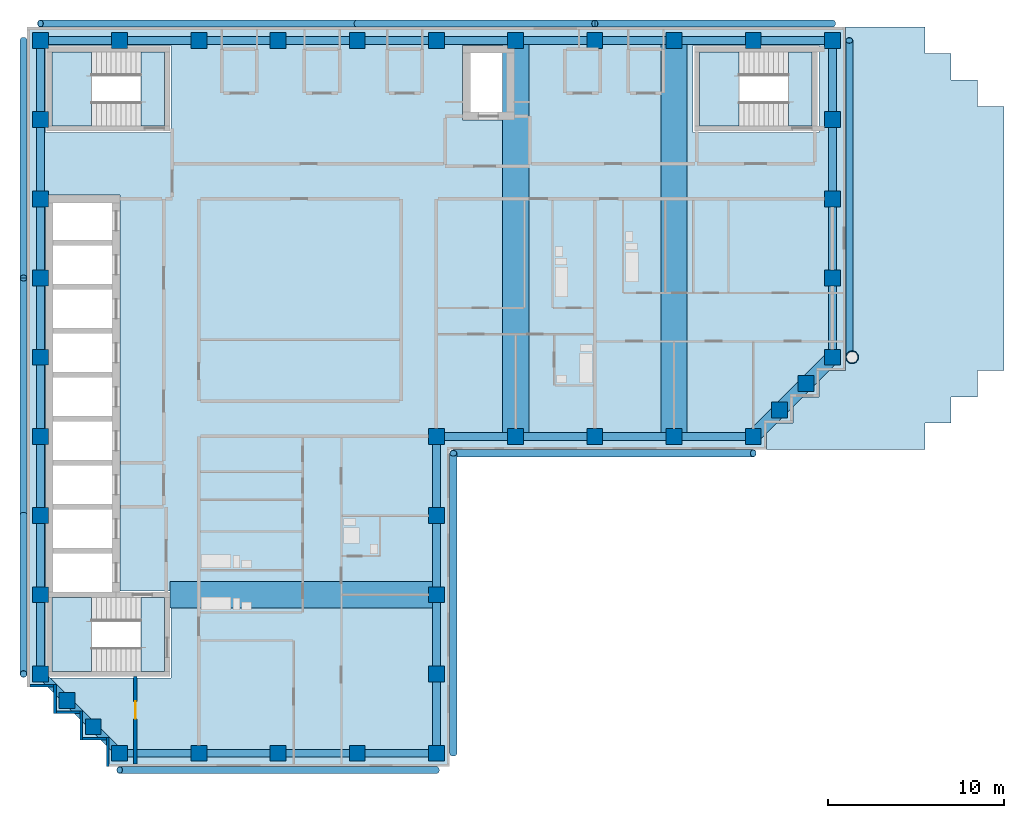
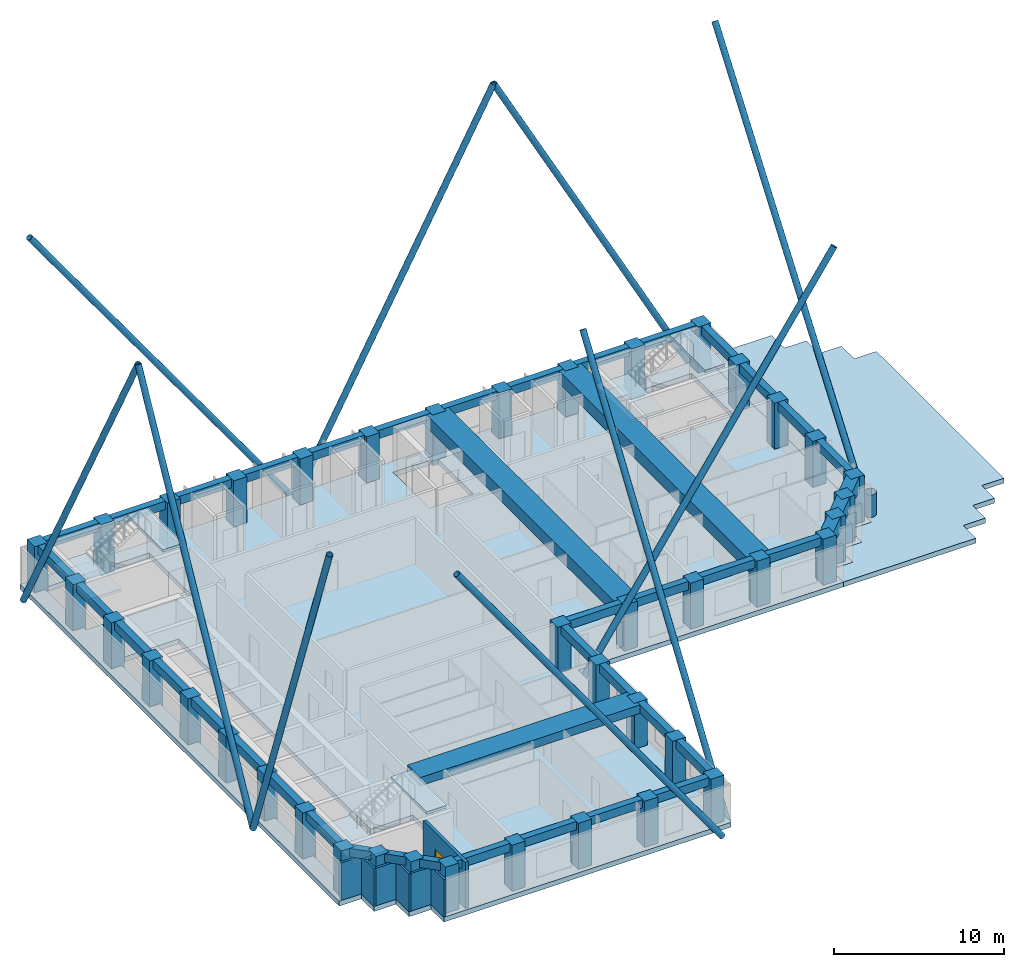
# One storey, part 1 of 8: 43 beams, 40 columns, 11 members, 8 slabs, 7 walls, 1 door, 1 opening, 3 elements without a shape of their own.
"""IFC4 building model written with IfcOpenShell, lengths in metres."""

import ifcopenshell
import ifcopenshell.guid

model = None  # the IFC model being written
_history = None  # IfcOwnerHistory: only IFC2X3 demands one
_inside = {}  # id of a spatial element -> (the spatial element, [elements in it])
_under = {}  # id of a project, library or spatial element -> (it, [spatial elements below it])
_declared = {}  # id of a project -> (the project, [libraries it declares])
_typed = {}  # id of a type object -> (the type object, [elements of that type])
_made_of = {}  # id of a material, layer set ... -> (it, [elements and type objects made of it])


def new_model(schema):
    """Start an empty IFC model of exactly this schema.

    Asked for "IFC4X3", IfcOpenShell would pick the latest addendum, in which some entities
    have other attributes; the version numbers below select the first issue.
    IFC2X3 requires an IfcOwnerHistory on every rooted entity: one is made here for all.
    """
    global model, _history
    if schema == "IFC4X3":
        model = ifcopenshell.file(schema_version=(4, 3, 0, 0))
    else:
        model = ifcopenshell.file(schema=schema)
    _inside.clear()
    _under.clear()
    _declared.clear()
    _typed.clear()
    _made_of.clear()
    _history = None
    if model.schema == "IFC2X3":
        org = make("IfcOrganization", Name="unknown")
        user = make(
            "IfcPersonAndOrganization",
            ThePerson=make("IfcPerson", FamilyName="unknown"),
            TheOrganization=org,
        )
        app = make(
            "IfcApplication",
            ApplicationDeveloper=org,
            Version="unknown",
            ApplicationFullName="unknown",
            ApplicationIdentifier="unknown",
        )
        _history = make(
            "IfcOwnerHistory",
            OwningUser=user,
            OwningApplication=app,
            ChangeAction="ADDED",
            CreationDate=0,
        )
    return model


def make(cls, **values):
    """One entity of the class cls with the attributes given. An attribute that is None is left unset."""
    return model.create_entity(
        cls, **{name: value for name, value in values.items() if value is not None}
    )


def rooted(cls, **values):
    """An entity with a GlobalId (a new one), such as an element, a storey or a relation."""
    return make(cls, GlobalId=ifcopenshell.guid.new(), OwnerHistory=_history, **values)


def si_unit(unit_type, name, prefix=None):
    """IfcSIUnit, for example si_unit("LENGTHUNIT", "METRE", prefix="MILLI")."""
    return make("IfcSIUnit", UnitType=unit_type, Prefix=prefix, Name=name)


def assignment(units):
    """IfcUnitAssignment: the units of a project."""
    return None if units is None else make("IfcUnitAssignment", Units=units)


def point(xyz):
    """IfcCartesianPoint."""
    return None if xyz is None else make("IfcCartesianPoint", Coordinates=xyz)


def direction(xyz):
    """IfcDirection."""
    return None if xyz is None else make("IfcDirection", DirectionRatios=xyz)


def frame(location, z_axis=None, x_axis=None):
    """IfcAxis2Placement3D, a coordinate frame: its origin and axes. An axis left out is left unset."""
    return make(
        "IfcAxis2Placement3D",
        Location=point(location),
        Axis=direction(z_axis),
        RefDirection=direction(x_axis),
    )


def frame_2d(location, x_axis=None):
    """IfcAxis2Placement2D, a coordinate frame in the plane: its origin and x axis."""
    return make(
        "IfcAxis2Placement2D", Location=point(location), RefDirection=direction(x_axis)
    )


def origin():
    """The frame at (0, 0, 0) with its axes left unset."""
    return frame((0.0, 0.0, 0.0))


def origin_2d():
    """The frame at (0, 0) in the plane with its x axis left unset."""
    return frame_2d((0.0, 0.0))


def place(relative_to, where):
    """IfcLocalPlacement: puts the frame where relative to a parent placement (None: the world)."""
    return make(
        "IfcLocalPlacement", PlacementRelTo=relative_to, RelativePlacement=where
    )


def context(
    kind, dimensions, precision=None, world=None, true_north=None, identifier=None
):
    """IfcGeometricRepresentationContext, for example the 3D "Model" context."""
    return make(
        "IfcGeometricRepresentationContext",
        ContextIdentifier=identifier,
        ContextType=kind,
        CoordinateSpaceDimension=dimensions,
        Precision=precision,
        WorldCoordinateSystem=world,
        TrueNorth=true_north,
    )


def subcontext(parent, identifier, kind, view, scale=None):
    """IfcGeometricRepresentationSubContext, for example "Body" below "Model"."""
    return make(
        "IfcGeometricRepresentationSubContext",
        ContextIdentifier=identifier,
        ContextType=kind,
        ParentContext=parent,
        TargetScale=scale,
        TargetView=view,
    )


def project(units=None, contexts=None):
    """IfcProject with its units and contexts."""
    return rooted(
        "IfcProject",
        Name="project",
        RepresentationContexts=contexts,
        UnitsInContext=assignment(units),
    )


def spatial(cls, under=None, at=None, **own):
    """A site, building, storey or space (cls), placed at a placement, below another one or the project."""
    s = rooted(cls, ObjectPlacement=at, **own)
    if under is not None:
        _under.setdefault(under.id(), (under, []))[1].append(s)
    return s


def polyline(points):
    """IfcPolyline through the points."""
    return make("IfcPolyline", Points=[point(p) for p in points])


def profile(cls, at=None, kind="AREA", **sizes):
    """A parametric profile (cls). Its sizes go by their IFC names, for example OverallWidth=200.0."""
    return make(cls, ProfileType=kind, Position=at, **sizes)


def rectangle(**sizes):
    """IfcRectangleProfileDef."""
    return profile("IfcRectangleProfileDef", **sizes)


def hollow_circle(**sizes):
    """IfcCircleHollowProfileDef."""
    return profile("IfcCircleHollowProfileDef", **sizes)


def outline(outer, holes=None, kind="AREA"):
    """IfcArbitraryClosedProfileDef: a profile drawn as a closed curve; with holes, ...WithVoids."""
    if holes is None:
        return make("IfcArbitraryClosedProfileDef", ProfileType=kind, OuterCurve=outer)
    return make(
        "IfcArbitraryProfileDefWithVoids",
        ProfileType=kind,
        OuterCurve=outer,
        InnerCurves=holes,
    )


def extrude(swept, where, along, depth):
    """IfcExtrudedAreaSolid: the profile swept, set in the frame where, extruded along a direction by depth."""
    return make(
        "IfcExtrudedAreaSolid",
        SweptArea=swept,
        Position=where,
        ExtrudedDirection=direction(along),
        Depth=depth,
    )


def shape(context_of_items, identifier, shape_type, items):
    """IfcShapeRepresentation: the items that make up one representation, for example the "Body"."""
    return make(
        "IfcShapeRepresentation",
        ContextOfItems=context_of_items,
        RepresentationIdentifier=identifier,
        RepresentationType=shape_type,
        Items=items,
    )


def material(Name=None, Category=None):
    """IfcMaterial."""
    return make("IfcMaterial", Name=Name, Category=Category)


def layer(
    of_material, thickness, ventilated=None, Name=None, Category=None, Priority=None
):
    """IfcMaterialLayer: one layer of a wall or slab, of a material (None: an air gap)."""
    return make(
        "IfcMaterialLayer",
        Material=of_material,
        LayerThickness=thickness,
        IsVentilated=ventilated,
        Name=Name,
        Category=Category,
        Priority=Priority,
    )


def layer_set(layers, Name=None):
    """IfcMaterialLayerSet."""
    return make("IfcMaterialLayerSet", MaterialLayers=layers, LayerSetName=Name)


def material_profile(
    of_material, cross_section, Name=None, Category=None, Priority=None
):
    """IfcMaterialProfile: a cross section and its material."""
    return make(
        "IfcMaterialProfile",
        Name=Name,
        Material=of_material,
        Profile=cross_section,
        Priority=Priority,
        Category=Category,
    )


def profile_set(profiles, Name=None, composite=None):
    """IfcMaterialProfileSet."""
    return make(
        "IfcMaterialProfileSet",
        Name=Name,
        MaterialProfiles=profiles,
        CompositeProfile=composite,
    )


def made_of(thing, what):
    """Note that an element or type object is made of a material, layer set ...; save() writes the relation."""
    if what is not None:
        _made_of.setdefault(what.id(), (what, []))[1].append(thing)
    return thing


def type_object(cls, material=None, **own):
    """A type object (cls), such as IfcWallType, which elements share."""
    return made_of(rooted(cls, **own), material)


def element(
    cls,
    number,
    at=None,
    inside=None,
    cuts=None,
    type_object=None,
    material=None,
    context=None,
    identifier="Body",
    shape_type=None,
    held_by="IfcProductDefinitionShape",
    body=None,
    shapes=None,
    **own,
):
    """One element of the class cls, such as IfcWall. Its Tag is "e" and its number.

    at: its placement. inside: the storey or other place that contains it. cuts: it is an
    opening in that element (IfcRelVoidsElement). A single representation is given by context,
    identifier, shape_type and body (its items); several are given by shapes. held_by: the class
    of the entity that holds the representations. save() writes the other relations.
    """
    e = rooted(cls, Tag="e%d" % number, ObjectPlacement=at, **own)
    if body is not None:
        shapes = [shape(context, identifier, shape_type, body)]
    if shapes is not None:
        e.Representation = make(held_by, Representations=shapes)
    if inside is not None:
        _inside.setdefault(inside.id(), (inside, []))[1].append(e)
    if cuts is not None:
        rooted(
            "IfcRelVoidsElement", RelatingBuildingElement=cuts, RelatedOpeningElement=e
        )
    if type_object is not None:
        _typed.setdefault(type_object.id(), (type_object, []))[1].append(e)
    return made_of(e, material)


def fill(opening, filler):
    """IfcRelFillsElement: the door or window that sits in an opening."""
    return rooted(
        "IfcRelFillsElement",
        RelatingOpeningElement=opening,
        RelatedBuildingElement=filler,
    )


def aggregate(whole, parts):
    """IfcRelAggregates: a whole, such as a stair, and the parts it consists of."""
    return rooted("IfcRelAggregates", RelatingObject=whole, RelatedObjects=parts)


def save(model, path):
    """Write the relations noted so far, then the file.

    IfcRelAggregates (storeys below a building ...), IfcRelContainedInSpatialStructure (elements
    in a storey), IfcRelDefinesByType, IfcRelAssociatesMaterial and IfcRelDeclares: one each for
    every whole, place, type object, material and project.
    """
    for whole, parts in _under.values():
        aggregate(whole, parts)
    for where, things in _inside.values():
        rooted(
            "IfcRelContainedInSpatialStructure",
            RelatedElements=things,
            RelatingStructure=where,
        )
    for kind, things in _typed.values():
        rooted("IfcRelDefinesByType", RelatedObjects=things, RelatingType=kind)
    for what, things in _made_of.values():
        rooted("IfcRelAssociatesMaterial", RelatedObjects=things, RelatingMaterial=what)
    for by, libraries in _declared.values():
        rooted("IfcRelDeclares", RelatingContext=by, RelatedDefinitions=libraries)
    model.write(path)


model = new_model("IFC4")

# Units and contexts
model_context = context("Model", 3, precision=1e-05, world=origin(), true_north=direction((0.0, 1.0)))
body_context = subcontext(model_context, "Body", "Model", "MODEL_VIEW")
ifc_project = project(units=[si_unit("LENGTHUNIT", "METRE"), si_unit("AREAUNIT", "SQUARE_METRE"), si_unit("VOLUMEUNIT", "CUBIC_METRE"), si_unit("PLANEANGLEUNIT", "RADIAN"), si_unit("MASSUNIT", "GRAM", prefix="KILO")], contexts=[model_context])

# Site, building, storey
site_placement = place(None, origin())
site = spatial("IfcSite", under=ifc_project, at=site_placement, CompositionType="ELEMENT")
building_placement = place(site_placement, origin())
building = spatial("IfcBuilding", under=site, at=building_placement, Name="Firuza Court", CompositionType="ELEMENT")
storey_placement = place(building_placement, frame((0.0, 0.0, 233.0)))
storey = spatial("IfcBuildingStorey", under=building, at=storey_placement, Name="L60", CompositionType="ELEMENT", Elevation=233.0)

# Columns
ifc_material_1 = material(Name="Concrete C50/60", Category="concrete")
ifc_material_profile_1 = material_profile(ifc_material_1, rectangle(XDim=0.89990234375, YDim=0.89990234375, at=origin_2d()), Name="RC 900x900")
ifc_profile_set_1 = profile_set([ifc_material_profile_1], Name="Concrete C50/60")
column_type = type_object("IfcColumnType", Name="Tube column RC 900x900 C50/60", PredefinedType="COLUMN", material=ifc_profile_set_1)
for number, where, z_axis, x_axis, name in (
    (1, (4.5, 18.0, -0.35009765625), (0.0, 0.0, 1.0), (1.0, 0.0, 0.0), "Column C-2H L60"),
    (2, (9.0, 18.0, -0.35009765625), (0.0, 0.0, 1.0), (1.0, 0.0, 0.0), "Column C-3H L60"),
    (3, (13.5, 18.0, -0.35009765625), (0.0, 0.0, 1.0), (1.0, 0.0, 0.0), "Column C-4H L60"),
    (4, (18.0, 18.0, -0.35009765625), (0.0, 0.0, 1.0), (1.0, 0.0, 0.0), "Column C-5H L60"),
    (5, (22.5, 18.0, -0.35009765625), (0.0, 0.0, 1.0), (1.0, 0.0, 0.0), "Column C-6H L60"),
    (6, (3.0, 19.5, -0.35009765625), (0.0, 0.0, 1.0), (1.0, 0.0, 0.0), "Column C-SA1 L60"),
    (7, (1.5, 21.0, -0.35009765625), (0.0, 0.0, 1.0), (1.0, 0.0, 0.0), "Column C-SA2 L60"),
    (8, (0.0, 22.5, -0.35009765625), (0.0, 0.0, 1.0), (1.0, 0.0, 0.0), "Column C-1J L60"),
    (9, (22.5, 22.5, -0.35009765625), (0.0, 0.0, 1.0), (1.0, 0.0, 0.0), "Column C-6J L60"),
    (10, (0.0, 27.0, -0.35009765625), (0.0, 0.0, 1.0), (1.0, 0.0, 0.0), "Column C-1K L60"),
    (11, (22.5, 27.0, -0.35009765625), (0.0, 0.0, 1.0), (1.0, 0.0, 0.0), "Column C-6K L60"),
    (12, (0.0, 31.5, -0.35009765625), (0.0, 0.0, 1.0), (1.0, 0.0, 0.0), "Column C-1L L60"),
    (13, (22.5, 31.5, -0.35009765625), (0.0, 0.0, 1.0), (1.0, 0.0, 0.0), "Column C-6L L60"),
    (14, (0.0, 36.0, -0.35009765625), (0.0, 0.0, 1.0), (1.0, 0.0, 0.0), "Column C-1M L60"),
    (15, (22.5, 36.0, -0.35009765625), (0.0, 0.0, 1.0), (1.0, 0.0, 0.0), "Column C-6M L60"),
    (16, (27.0, 36.0, -0.35009765625), (0.0, 0.0, 1.0), (1.0, 0.0, 0.0), "Column C-7M L60"),
    (17, (31.5, 36.0, -0.35009765625), (0.0, 0.0, 1.0), (1.0, 0.0, 0.0), "Column C-8M L60"),
    (18, (36.0, 36.0, -0.35009765625), (0.0, 0.0, 1.0), (1.0, 0.0, 0.0), "Column C-9M L60"),
    (19, (40.5, 36.0, -0.35009765625), (0.0, 0.0, 1.0), (1.0, 0.0, 0.0), "Column C-10M L60"),
    (20, (42.0, 37.5, -0.35009765625), (0.0, 0.0, 1.0), (1.0, 0.0, 0.0), "Column C-SA3 L60"),
    (21, (43.5, 39.0, -0.35009765625), (0.0, 0.0, 1.0), (1.0, 0.0, 0.0), "Column C-SA4 L60"),
    (22, (0.0, 40.5, -0.35009765625), (0.0, 0.0, 1.0), (1.0, 0.0, 0.0), "Column C-1N L60"),
    (23, (45.0, 40.5, -0.35009765625), (0.0, 0.0, 1.0), (1.0, 0.0, 0.0), "Column C-11N L60"),
    (24, (0.0, 45.0, -0.35009765625), (0.0, 0.0, 1.0), (1.0, 0.0, 0.0), "Column C-1P L60"),
    (25, (45.0, 45.0, -0.35009765625), (0.0, 0.0, 1.0), (1.0, 0.0, 0.0), "Column C-11P L60"),
    (26, (0.0, 49.5, -0.35009765625), (0.0, 0.0, 1.0), (1.0, 0.0, 0.0), "Column C-1Q L60"),
    (27, (45.0, 49.5, -0.35009765625), (0.0, 0.0, 1.0), (1.0, 0.0, 0.0), "Column C-11Q L60"),
    (28, (0.0, 54.0, -0.35009765625), (0.0, 0.0, 1.0), (1.0, 0.0, 0.0), "Column C-1R L60"),
    (29, (45.0, 54.0, -0.35009765625), (0.0, 0.0, 1.0), (1.0, 0.0, 0.0), "Column C-11R L60"),
    (30, (0.0, 58.5, -0.35009765625), (0.0, 0.0, 1.0), (1.0, 0.0, 0.0), "Column C-1S L60"),
    (31, (4.5, 58.5, -0.35009765625), (0.0, 0.0, 1.0), (1.0, 0.0, 0.0), "Column C-2S L60"),
    (32, (9.0, 58.5, -0.35009765625), (0.0, 0.0, 1.0), (1.0, 0.0, 0.0), "Column C-3S L60"),
    (33, (13.5, 58.5, -0.35009765625), (0.0, 0.0, 1.0), (1.0, 0.0, 0.0), "Column C-4S L60"),
    (34, (18.0, 58.5, -0.35009765625), (0.0, 0.0, 1.0), (1.0, 0.0, 0.0), "Column C-5S L60"),
    (35, (22.5, 58.5, -0.35009765625), (0.0, 0.0, 1.0), (1.0, 0.0, 0.0), "Column C-6S L60"),
    (36, (27.0, 58.5, -0.35009765625), (0.0, 0.0, 1.0), (1.0, 0.0, 0.0), "Column C-7S L60"),
    (37, (31.5, 58.5, -0.35009765625), (0.0, 0.0, 1.0), (1.0, 0.0, 0.0), "Column C-8S L60"),
    (38, (36.0, 58.5, -0.35009765625), (0.0, 0.0, 1.0), (1.0, 0.0, 0.0), "Column C-9S L60"),
    (39, (40.5, 58.5, -0.35009765625), (0.0, 0.0, 1.0), (1.0, 0.0, 0.0), "Column C-10S L60"),
    (40, (45.0, 58.5, -0.35009765625), (0.0, 0.0, 1.0), (1.0, 0.0, 0.0), "Column C-11S L60"),
):
    element("IfcColumn", number, at=place(storey_placement, frame(where, z_axis=z_axis, x_axis=x_axis)), inside=storey, type_object=column_type, Name=name, PredefinedType="COLUMN", context=body_context, shape_type="SweptSolid", body=[
        extrude(rectangle(XDim=0.89990234375, YDim=0.89990234375, at=origin_2d()), origin(), (0.0, 0.0, 1.0), 3.650146484375),
    ])

# Beams
ifc_material_2 = material(Name="Concrete C40/50", Category="concrete")
ifc_material_profile_2 = material_profile(ifc_material_2, rectangle(XDim=1.5, YDim=0.60009765625, at=origin_2d()), Name="RC 1500x600")
ifc_profile_set_2 = profile_set([ifc_material_profile_2], Name="Concrete C40/50")
beam_type_1 = type_object("IfcBeamType", Name="Band beam RC 1500x600 C40/50", PredefinedType="BEAM", material=ifc_profile_set_2)
beam_1_placement = place(storey_placement, frame((22.5, 27.0, 3.0), z_axis=(-1.0, 0.0, 0.0), x_axis=(0.0, -1.0, 0.0)))
element("IfcBeam", 41, at=beam_1_placement, inside=storey, type_object=beam_type_1, Name="Band beam FB3 level L61", PredefinedType="BEAM", context=body_context, shape_type="SweptSolid", body=[
    extrude(rectangle(XDim=1.5, YDim=0.60009765625, at=origin_2d()), origin(), (0.0, 0.0, 1.0), 15.14990234375),
])
ifc_material_3 = material(Name="Concrete C40/50", Category="concrete")
ifc_material_profile_3 = material_profile(ifc_material_3, rectangle(XDim=1.5, YDim=0.89990234375, at=origin_2d()), Name="RC 1500x900")
ifc_profile_set_3 = profile_set([ifc_material_profile_3], Name="Concrete C40/50")
beam_type_2 = type_object("IfcBeamType", Name="Band beam RC 1500x900 C40/50", PredefinedType="BEAM", material=ifc_profile_set_3)
for number, where, z_axis, x_axis, name in (
    (42, (27.0, 36.0, 2.85009765625), (0.0, 1.0, 0.0), (-1.0, 0.0, 0.0), "Band beam FB2 level L61"),
    (43, (36.0, 36.0, 2.85009765625), (0.0, 1.0, 0.0), (-1.0, 0.0, 0.0), "Band beam FB2 level L61"),
):
    element("IfcBeam", number, at=place(storey_placement, frame(where, z_axis=z_axis, x_axis=x_axis)), inside=storey, type_object=beam_type_2, Name=name, PredefinedType="BEAM", context=body_context, shape_type="SweptSolid", body=[
        extrude(rectangle(XDim=1.5, YDim=0.89990234375, at=origin_2d()), origin(), (0.0, 0.0, 1.0), 22.5),
    ])

# Members
ifc_material_4 = material(Name="Steel S355", Category="steel")
ifc_material_profile_4 = material_profile(ifc_material_4, hollow_circle(Radius=0.203125, WallThickness=0.01611328125, at=origin_2d()), Name="CHS 406.4x16")
ifc_profile_set_4 = profile_set([ifc_material_profile_4], Name="Steel S355")
member_type_1 = type_object("IfcMemberType", Name="Diagrid diagonal CHS 406.4x16 S355", PredefinedType="USERDEFINED", material=ifc_profile_set_4)
member_1_placement = place(storey_placement, frame((22.5, 17.041748046875, -0.60009765625), z_axis=(-0.582766965755, 0.0, 0.812639319517), x_axis=(0.0, -1.0, 0.0)))
element("IfcMember", 44, at=member_1_placement, inside=storey, type_object=member_type_1, Name="Diagrid diagonal L60 to L67", ObjectType="DIAGRID", PredefinedType="USERDEFINED", context=body_context, shape_type="SweptSolid", body=[
    extrude(hollow_circle(Radius=0.203125, WallThickness=0.01611328125, at=origin_2d()), origin(), (0.0, 0.0, 1.0), 30.88720703125),
])
for number, where, z_axis, x_axis, name in (
    (45, (23.458251953125, 18.0, -0.60009765625), (0.0, 0.561716684002, 0.827329660362), (-1.0, 0.0, 0.0), "Diagrid diagonal L60 to L67"),
    (46, (23.458251953125, 35.041748046875, -0.60009765625), (0.561716684002, 0.0, 0.827329660362), (0.0, 1.0, 0.0), "Diagrid diagonal L60 to L67"),
):
    element("IfcMember", number, at=place(storey_placement, frame(where, z_axis=z_axis, x_axis=x_axis)), inside=storey, type_object=member_type_1, Name=name, ObjectType="DIAGRID", PredefinedType="USERDEFINED", context=body_context, shape_type="SweptSolid", body=[
        extrude(hollow_circle(Radius=0.203125, WallThickness=0.01611328125, at=origin_2d()), origin(), (0.0, 0.0, 1.0), 30.338623046875),
    ])
member_2_placement = place(storey_placement, frame((45.958251953125, 40.5, 0.120361328125), z_axis=(0.0, 0.593969878963, 0.804487279505), x_axis=(-1.0, 0.0, 0.0)))
element("IfcMember", 47, at=member_2_placement, inside=storey, type_object=member_type_1, Name="Diagrid diagonal L60 to L67", ObjectType="DIAGRID", PredefinedType="USERDEFINED", context=body_context, shape_type="SweptSolid", body=[
    extrude(hollow_circle(Radius=0.203125, WallThickness=0.01611328125, at=origin_2d()), origin(), (0.0, 0.0, 1.0), 30.3046875),
])
for number, where, z_axis, x_axis, name in (
    (48, (45.0, 59.458251953125, -0.60009765625), (-0.473679865243, 0.0, 0.880697101882), (0.0, -1.0, 0.0), "Diagrid diagonal L60 to L67"),
    (49, (18.0, 59.458251953125, -0.60009765625), (0.473679865243, 0.0, 0.880697101882), (0.0, 1.0, 0.0), "Diagrid diagonal L60 to L67"),
):
    element("IfcMember", number, at=place(storey_placement, frame(where, z_axis=z_axis, x_axis=x_axis)), inside=storey, type_object=member_type_1, Name=name, ObjectType="DIAGRID", PredefinedType="USERDEFINED", context=body_context, shape_type="SweptSolid", body=[
        extrude(hollow_circle(Radius=0.203125, WallThickness=0.01611328125, at=origin_2d()), origin(), (0.0, 0.0, 1.0), 28.500244140625),
    ])
member_3_placement = place(storey_placement, frame((18.0, 59.458251953125, -0.60009765625), z_axis=(-0.582766965755, 0.0, 0.812639319517), x_axis=(0.0, -1.0, 0.0)))
element("IfcMember", 50, at=member_3_placement, inside=storey, type_object=member_type_1, Name="Diagrid diagonal L60 to L67", ObjectType="DIAGRID", PredefinedType="USERDEFINED", context=body_context, shape_type="SweptSolid", body=[
    extrude(hollow_circle(Radius=0.203125, WallThickness=0.01611328125, at=origin_2d()), origin(), (0.0, 0.0, 1.0), 30.88720703125),
])
for number, where, z_axis, x_axis, name in (
    (51, (-0.958251953125, 58.5, -0.60009765625), (0.0, -0.473679865243, 0.880697101882), (1.0, 0.0, 0.0), "Diagrid diagonal L60 to L67"),
    (52, (-0.958251953125, 31.5, -0.60009765625), (0.0, 0.473679865243, 0.880697101882), (-1.0, 0.0, 0.0), "Diagrid diagonal L60 to L67"),
):
    element("IfcMember", number, at=place(storey_placement, frame(where, z_axis=z_axis, x_axis=x_axis)), inside=storey, type_object=member_type_1, Name=name, ObjectType="DIAGRID", PredefinedType="USERDEFINED", context=body_context, shape_type="SweptSolid", body=[
        extrude(hollow_circle(Radius=0.203125, WallThickness=0.01611328125, at=origin_2d()), origin(), (0.0, 0.0, 1.0), 28.500244140625),
    ])
member_4_placement = place(storey_placement, frame((-0.958251953125, 31.5, -0.60009765625), z_axis=(0.0, -0.337522833106, 0.941317341353), x_axis=(1.0, 0.0, 0.0)))
element("IfcMember", 53, at=member_4_placement, inside=storey, type_object=member_type_1, Name="Diagrid diagonal L60 to L67", ObjectType="DIAGRID", PredefinedType="USERDEFINED", context=body_context, shape_type="SweptSolid", body=[
    extrude(hollow_circle(Radius=0.203125, WallThickness=0.01611328125, at=origin_2d()), origin(), (0.0, 0.0, 1.0), 26.664794921875),
])
ifc_material_5 = material(Name="Steel S355", Category="steel")
ifc_material_profile_5 = material_profile(ifc_material_5, hollow_circle(Radius=0.35546875, WallThickness=0.030029296875, at=origin_2d()), Name="CHS 711x30")
ifc_profile_set_5 = profile_set([ifc_material_profile_5], Name="Steel S355")
member_type_2 = type_object("IfcMemberType", Name="Diagrid node CHS 711x30 S355", PredefinedType="USERDEFINED", material=ifc_profile_set_5)
member_5_placement = place(storey_placement, frame((46.1201171875, 40.5, -0.35009765625), z_axis=(0.0, 0.0, 1.0), x_axis=(1.0, 0.0, 0.0)))
element("IfcMember", 54, at=member_5_placement, inside=storey, type_object=member_type_2, Name="Diagrid node level L60", ObjectType="DIAGRID NODE", PredefinedType="USERDEFINED", context=body_context, shape_type="SweptSolid", body=[
    extrude(hollow_circle(Radius=0.35546875, WallThickness=0.030029296875, at=origin_2d()), origin(), (0.0, 0.0, 1.0), 1.9501953125),
])

# Beams
ifc_material_6 = material(Name="Concrete C40/50", Category="concrete")
ifc_material_profile_6 = material_profile(ifc_material_6, rectangle(XDim=0.449951171875, YDim=0.60009765625, at=origin_2d()), Name="RC 450x600")
ifc_profile_set_6 = profile_set([ifc_material_profile_6], Name="Concrete C40/50")
beam_type_3 = type_object("IfcBeamType", Name="Spandrel beam RC 450x600 C40/50", PredefinedType="BEAM", material=ifc_profile_set_6)
beam_2_placement = place(storey_placement, frame((0.0, 22.5, 3.0), z_axis=(0.707106781187, -0.707106781187, 0.0), x_axis=(0.707106781187, 0.707106781187, 0.0)))
element("IfcBeam", 55, at=beam_2_placement, inside=storey, type_object=beam_type_3, Name="Spandrel beam SP15 level L61", PredefinedType="BEAM", context=body_context, shape_type="SweptSolid", body=[
    extrude(rectangle(XDim=0.449951171875, YDim=0.60009765625, at=origin_2d()), origin(), (0.0, 0.0, 1.0), 2.121337890625),
])
for number, where, z_axis, x_axis, name in (
    (56, (0.0, 27.0, 3.0), (0.0, -1.0, 0.0), (1.0, 0.0, 0.0), "Spandrel beam SP15 level L61"),
    (57, (0.0, 31.5, 3.0), (0.0, -1.0, 0.0), (1.0, 0.0, 0.0), "Spandrel beam SP15 level L61"),
    (58, (0.0, 36.0, 3.0), (0.0, -1.0, 0.0), (1.0, 0.0, 0.0), "Spandrel beam SP15 level L61"),
    (59, (0.0, 40.5, 3.0), (0.0, -1.0, 0.0), (1.0, 0.0, 0.0), "Spandrel beam SP15 level L61"),
    (60, (0.0, 45.0, 3.0), (0.0, -1.0, 0.0), (1.0, 0.0, 0.0), "Spandrel beam SP15 level L61"),
    (61, (0.0, 49.5, 3.0), (0.0, -1.0, 0.0), (1.0, 0.0, 0.0), "Spandrel beam SP15 level L61"),
    (62, (0.0, 54.0, 3.0), (0.0, -1.0, 0.0), (1.0, 0.0, 0.0), "Spandrel beam SP15 level L61"),
    (63, (0.0, 58.5, 3.0), (0.0, -1.0, 0.0), (1.0, 0.0, 0.0), "Spandrel beam SP15 level L61"),
):
    element("IfcBeam", number, at=place(storey_placement, frame(where, z_axis=z_axis, x_axis=x_axis)), inside=storey, type_object=beam_type_3, Name=name, PredefinedType="BEAM", context=body_context, shape_type="SweptSolid", body=[
        extrude(rectangle(XDim=0.449951171875, YDim=0.60009765625, at=origin_2d()), origin(), (0.0, 0.0, 1.0), 4.5),
    ])
for number, where, z_axis, x_axis, name in (
    (64, (1.5, 21.0, 3.0), (0.707106781187, -0.707106781187, 0.0), (0.707106781187, 0.707106781187, 0.0), "Spandrel beam SP15 level L61"),
    (65, (3.0, 19.5, 3.0), (0.707106781187, -0.707106781187, 0.0), (0.707106781187, 0.707106781187, 0.0), "Spandrel beam SP15 level L61"),
):
    element("IfcBeam", number, at=place(storey_placement, frame(where, z_axis=z_axis, x_axis=x_axis)), inside=storey, type_object=beam_type_3, Name=name, PredefinedType="BEAM", context=body_context, shape_type="SweptSolid", body=[
        extrude(rectangle(XDim=0.449951171875, YDim=0.60009765625, at=origin_2d()), origin(), (0.0, 0.0, 1.0), 2.121337890625),
    ])
for number, where, z_axis, x_axis, name in (
    (66, (4.5, 18.0, 3.0), (1.0, 0.0, 0.0), (0.0, 1.0, 0.0), "Spandrel beam SP15 level L61"),
    (67, (4.5, 58.5, 3.0), (-1.0, 0.0, 0.0), (0.0, -1.0, 0.0), "Spandrel beam SP15 level L61"),
    (68, (9.0, 18.0, 3.0), (1.0, 0.0, 0.0), (0.0, 1.0, 0.0), "Spandrel beam SP15 level L61"),
    (69, (9.0, 58.5, 3.0), (-1.0, 0.0, 0.0), (0.0, -1.0, 0.0), "Spandrel beam SP15 level L61"),
    (70, (13.5, 18.0, 3.0), (1.0, 0.0, 0.0), (0.0, 1.0, 0.0), "Spandrel beam SP15 level L61"),
    (71, (13.5, 58.5, 3.0), (-1.0, 0.0, 0.0), (0.0, -1.0, 0.0), "Spandrel beam SP15 level L61"),
    (72, (18.0, 18.0, 3.0), (1.0, 0.0, 0.0), (0.0, 1.0, 0.0), "Spandrel beam SP15 level L61"),
    (73, (18.0, 58.5, 3.0), (-1.0, 0.0, 0.0), (0.0, -1.0, 0.0), "Spandrel beam SP15 level L61"),
    (74, (22.5, 18.0, 3.0), (0.0, 1.0, 0.0), (-1.0, 0.0, 0.0), "Spandrel beam SP15 level L61"),
    (75, (22.5, 22.5, 3.0), (0.0, 1.0, 0.0), (-1.0, 0.0, 0.0), "Spandrel beam SP15 level L61"),
    (76, (22.5, 27.0, 3.0), (0.0, 1.0, 0.0), (-1.0, 0.0, 0.0), "Spandrel beam SP15 level L61"),
    (77, (22.5, 31.5, 3.0), (0.0, 1.0, 0.0), (-1.0, 0.0, 0.0), "Spandrel beam SP15 level L61"),
    (78, (22.5, 36.0, 3.0), (1.0, 0.0, 0.0), (0.0, 1.0, 0.0), "Spandrel beam SP15 level L61"),
    (79, (22.5, 58.5, 3.0), (-1.0, 0.0, 0.0), (0.0, -1.0, 0.0), "Spandrel beam SP15 level L61"),
    (80, (27.0, 36.0, 3.0), (1.0, 0.0, 0.0), (0.0, 1.0, 0.0), "Spandrel beam SP15 level L61"),
    (81, (27.0, 58.5, 3.0), (-1.0, 0.0, 0.0), (0.0, -1.0, 0.0), "Spandrel beam SP15 level L61"),
    (82, (31.5, 36.0, 3.0), (1.0, 0.0, 0.0), (0.0, 1.0, 0.0), "Spandrel beam SP15 level L61"),
    (83, (31.5, 58.5, 3.0), (-1.0, 0.0, 0.0), (0.0, -1.0, 0.0), "Spandrel beam SP15 level L61"),
    (84, (36.0, 36.0, 3.0), (1.0, 0.0, 0.0), (0.0, 1.0, 0.0), "Spandrel beam SP15 level L61"),
    (85, (36.0, 58.5, 3.0), (-1.0, 0.0, 0.0), (0.0, -1.0, 0.0), "Spandrel beam SP15 level L61"),
    (86, (40.5, 58.5, 3.0), (-1.0, 0.0, 0.0), (0.0, -1.0, 0.0), "Spandrel beam SP15 level L61"),
    (87, (45.0, 40.5, 3.0), (0.0, 1.0, 0.0), (-1.0, 0.0, 0.0), "Spandrel beam SP15 level L61"),
    (88, (45.0, 45.0, 3.0), (0.0, 1.0, 0.0), (-1.0, 0.0, 0.0), "Spandrel beam SP15 level L61"),
    (89, (45.0, 49.5, 3.0), (0.0, 1.0, 0.0), (-1.0, 0.0, 0.0), "Spandrel beam SP15 level L61"),
    (90, (45.0, 54.0, 3.0), (0.0, 1.0, 0.0), (-1.0, 0.0, 0.0), "Spandrel beam SP15 level L61"),
    (91, (45.0, 58.5, 3.0), (-1.0, 0.0, 0.0), (0.0, -1.0, 0.0), "Spandrel beam SP15 level L61"),
):
    element("IfcBeam", number, at=place(storey_placement, frame(where, z_axis=z_axis, x_axis=x_axis)), inside=storey, type_object=beam_type_3, Name=name, PredefinedType="BEAM", context=body_context, shape_type="SweptSolid", body=[
        extrude(rectangle(XDim=0.449951171875, YDim=0.60009765625, at=origin_2d()), origin(), (0.0, 0.0, 1.0), 4.5),
    ])
ifc_material_7 = material(Name="Concrete C60/75", Category="concrete")
ifc_material_profile_7 = material_profile(ifc_material_7, rectangle(XDim=0.800048828125, YDim=1.0, at=origin_2d()), Name="RC 800x1000")
ifc_profile_set_7 = profile_set([ifc_material_profile_7], Name="Concrete C60/75")
beam_type_4 = type_object("IfcBeamType", Name="Transfer girder RC 800x1000 C60/75", PredefinedType="USERDEFINED", material=ifc_profile_set_7)
for number, where, z_axis, x_axis, name in (
    (92, (40.5, 36.0, 2.800048828125), (0.707106781187, 0.707106781187, 0.0), (-0.707106781187, 0.707106781187, 0.0), "Transfer girder TG2 level L61"),
    (93, (42.0, 37.5, 2.800048828125), (0.707106781187, 0.707106781187, 0.0), (-0.707106781187, 0.707106781187, 0.0), "Transfer girder TG2 level L61"),
    (94, (43.5, 39.0, 2.800048828125), (0.707106781187, 0.707106781187, 0.0), (-0.707106781187, 0.707106781187, 0.0), "Transfer girder TG2 level L61"),
):
    element("IfcBeam", number, at=place(storey_placement, frame(where, z_axis=z_axis, x_axis=x_axis)), inside=storey, type_object=beam_type_4, Name=name, ObjectType="TRANSFER GIRDER", PredefinedType="USERDEFINED", context=body_context, shape_type="SweptSolid", body=[
        extrude(rectangle(XDim=0.800048828125, YDim=1.0, at=origin_2d()), origin(), (0.0, 0.0, 1.0), 2.121337890625),
    ])

# Slabs
ifc_material_8 = material(Name="Concrete C40/50", Category="concrete")
ifc_layer_1 = layer(ifc_material_8, 0.35009765625)
ifc_layer_set_1 = layer_set([ifc_layer_1], Name="Concrete C40/50")
slab_type_1 = type_object("IfcSlabType", Name="Floor slab 350 C40/50", PredefinedType="FLOOR", material=ifc_layer_set_1)
slab_1_placement = place(storey_placement, frame((0.0, 0.0, -0.35009765625)))
element("IfcSlab", 95, at=slab_1_placement, inside=storey, type_object=slab_type_1, Name="Floor slab L60", PredefinedType="FLOOR", context=body_context, shape_type="SweptSolid", body=[
    extrude(outline(polyline([(-0.75, 59.25), (45.75, 59.25), (45.75, 39.75), (44.25, 39.75), (44.25, 38.25), (42.75, 38.25), (42.75, 36.75), (41.25, 36.75), (41.25, 35.25), (23.25, 35.25), (23.25, 17.25), (3.75, 17.25), (3.75, 18.75), (2.25, 18.75), (2.25, 20.25), (0.75, 20.25), (0.75, 21.75), (-0.75, 21.75), (-0.75, 59.25)]), holes=[polyline([(0.27490234375, 34.27490234375), (0.27490234375, 32.22509765625), (0.27490234375, 31.77490234375), (0.27490234375, 29.72509765625), (0.27490234375, 29.27490234375), (0.27490234375, 27.22509765625), (0.27490234375, 26.77490234375), (0.27490234375, 22.27490234375), (7.425048828125, 22.27490234375), (7.425048828125, 27.22509765625), (4.52490234375, 27.22509765625), (4.52490234375, 29.27490234375), (4.52490234375, 29.72509765625), (4.52490234375, 31.77490234375), (4.52490234375, 32.22509765625), (4.52490234375, 34.27490234375), (4.52490234375, 34.72509765625), (4.52490234375, 36.77490234375), (4.52490234375, 37.22509765625), (4.52490234375, 39.27490234375), (4.52490234375, 39.72509765625), (4.52490234375, 41.77490234375), (4.52490234375, 42.22509765625), (4.52490234375, 44.27490234375), (4.52490234375, 44.72509765625), (4.52490234375, 46.77490234375), (4.52490234375, 47.22509765625), (4.52490234375, 49.72509765625), (0.27490234375, 49.72509765625), (0.27490234375, 47.22509765625), (0.27490234375, 46.77490234375), (0.27490234375, 44.72509765625), (0.27490234375, 44.27490234375), (0.27490234375, 42.22509765625), (0.27490234375, 41.77490234375), (0.27490234375, 39.72509765625), (0.27490234375, 39.27490234375), (0.27490234375, 37.22509765625), (0.27490234375, 36.77490234375), (0.27490234375, 34.72509765625), (0.27490234375, 34.27490234375)]), polyline([(7.425048828125, 58.22509765625), (0.27490234375, 58.22509765625), (0.27490234375, 53.27490234375), (7.425048828125, 53.27490234375), (7.425048828125, 58.22509765625)]), polyline([(44.22509765625, 58.22509765625), (37.074951171875, 58.22509765625), (37.074951171875, 53.27490234375), (44.22509765625, 53.27490234375), (44.22509765625, 58.22509765625)]), polyline([(26.925048828125, 58.22509765625), (23.97509765625, 58.22509765625), (23.97509765625, 53.97509765625), (26.925048828125, 53.97509765625), (26.925048828125, 58.22509765625)])]), origin(), (0.0, 0.0, 1.0), 0.35009765625),
])
ifc_layer_2 = layer(ifc_material_8, 0.35009765625)
ifc_layer_set_2 = layer_set([ifc_layer_2], Name="Concrete C40/50")
slab_type_2 = type_object("IfcSlabType", Name="Roof slab 350 C40/50", PredefinedType="ROOF", material=ifc_layer_set_2)
slab_2_placement = place(storey_placement, frame((0.0, 0.0, -0.35009765625)))
element("IfcSlab", 96, at=slab_2_placement, inside=storey, type_object=slab_type_2, Name="Terrace roof slab L60", PredefinedType="ROOF", context=body_context, shape_type="SweptSolid", body=[
    extrude(outline(polyline([(50.25, 59.25), (50.25, 57.75), (51.75, 57.75), (51.75, 56.25), (53.25, 56.25), (53.25, 54.75), (54.75, 54.75), (54.75, 39.75), (53.25, 39.75), (53.25, 38.25), (51.75, 38.25), (51.75, 36.75), (50.25, 36.75), (50.25, 35.25), (41.25, 35.25), (41.25, 36.75), (42.75, 36.75), (42.75, 38.25), (44.25, 38.25), (44.25, 39.75), (45.75, 39.75), (45.75, 59.25), (50.25, 59.25)])), origin(), (0.0, 0.0, 1.0), 0.35009765625),
])

# Stair, slabs
ifc_material_9 = material(Name="Concrete C40/50 precast", Category="concrete")
stair_type = type_object("IfcStairType", Name="Stair 1350 x 3600 2 flights", PredefinedType="HALF_TURN_STAIR", material=ifc_material_9)
stair_1_placement = place(storey_placement, origin())
stair_1 = element("IfcStair", 97, at=stair_1_placement, inside=storey, type_object=stair_type, Name="Stair 1 L60", PredefinedType="HALF_TURN_STAIR")
ifc_material_10 = material(Name="Concrete C40/50 precast", Category="concrete")
ifc_layer_3 = layer(ifc_material_10, 0.199951171875)
ifc_layer_set_3 = layer_set([ifc_layer_3], Name="Concrete C40/50 precast")
slab_type_3 = type_object("IfcSlabType", Name="Stair landing 200", PredefinedType="LANDING", material=ifc_layer_set_3)
slab_3_placement = place(storey_placement, frame((0.0, 0.0, 1.60009765625)))
slab_3 = element("IfcSlab", 98, at=slab_3_placement, type_object=slab_type_3, Name="S1 landing 1", PredefinedType="LANDING", context=body_context, shape_type="SweptSolid", body=[
    extrude(outline(polyline([(39.699951171875, 53.64990234375), (39.699951171875, 57.85009765625), (37.449951171875, 57.85009765625), (37.449951171875, 53.64990234375), (39.699951171875, 53.64990234375)])), origin(), (0.0, 0.0, 1.0), 0.199951171875),
])
slab_4_placement = place(storey_placement, frame((0.0, 0.0, 3.39990234375)))
slab_4 = element("IfcSlab", 99, at=slab_4_placement, type_object=slab_type_3, Name="S1 landing 2", PredefinedType="LANDING", context=body_context, shape_type="SweptSolid", body=[
    extrude(outline(polyline([(43.85009765625, 53.64990234375), (43.85009765625, 57.85009765625), (42.5, 57.85009765625), (42.5, 53.64990234375), (43.85009765625, 53.64990234375)])), origin(), (0.0, 0.0, 1.0), 0.2001953125),
])
aggregate(stair_1, [slab_3, slab_4])

stair_2_placement = place(storey_placement, origin())
stair_2 = element("IfcStair", 100, at=stair_2_placement, inside=storey, type_object=stair_type, Name="Stair 2 L60", PredefinedType="HALF_TURN_STAIR")
slab_5_placement = place(storey_placement, frame((0.0, 0.0, 1.60009765625)))
slab_5 = element("IfcSlab", 101, at=slab_5_placement, type_object=slab_type_3, Name="S2 landing 1", PredefinedType="LANDING", context=body_context, shape_type="SweptSolid", body=[
    extrude(outline(polyline([(2.89990234375, 22.64990234375), (2.89990234375, 26.85009765625), (0.64990234375, 26.85009765625), (0.64990234375, 22.64990234375), (2.89990234375, 22.64990234375)])), origin(), (0.0, 0.0, 1.0), 0.199951171875),
])
slab_6_placement = place(storey_placement, frame((0.0, 0.0, 3.39990234375)))
slab_6 = element("IfcSlab", 102, at=slab_6_placement, type_object=slab_type_3, Name="S2 landing 2", PredefinedType="LANDING", context=body_context, shape_type="SweptSolid", body=[
    extrude(outline(polyline([(7.050048828125, 22.64990234375), (7.050048828125, 26.85009765625), (5.699951171875, 26.85009765625), (5.699951171875, 22.64990234375), (7.050048828125, 22.64990234375)])), origin(), (0.0, 0.0, 1.0), 0.2001953125),
])
aggregate(stair_2, [slab_5, slab_6])

stair_3_placement = place(storey_placement, origin())
stair_3 = element("IfcStair", 103, at=stair_3_placement, inside=storey, type_object=stair_type, Name="Stair 3 L60", PredefinedType="HALF_TURN_STAIR")
slab_7_placement = place(storey_placement, frame((0.0, 0.0, 1.60009765625)))
slab_7 = element("IfcSlab", 104, at=slab_7_placement, type_object=slab_type_3, Name="S3 landing 1", PredefinedType="LANDING", context=body_context, shape_type="SweptSolid", body=[
    extrude(outline(polyline([(2.89990234375, 53.64990234375), (2.89990234375, 57.85009765625), (0.64990234375, 57.85009765625), (0.64990234375, 53.64990234375), (2.89990234375, 53.64990234375)])), origin(), (0.0, 0.0, 1.0), 0.199951171875),
])
slab_8_placement = place(storey_placement, frame((0.0, 0.0, 3.39990234375)))
slab_8 = element("IfcSlab", 105, at=slab_8_placement, type_object=slab_type_3, Name="S3 landing 2", PredefinedType="LANDING", context=body_context, shape_type="SweptSolid", body=[
    extrude(outline(polyline([(7.050048828125, 53.64990234375), (7.050048828125, 57.85009765625), (5.699951171875, 57.85009765625), (5.699951171875, 53.64990234375), (7.050048828125, 53.64990234375)])), origin(), (0.0, 0.0, 1.0), 0.2001953125),
])
aggregate(stair_3, [slab_7, slab_8])

# Wall, opening, door
ifc_material_11 = material(Name="Blockwork, plastered both sides", Category="masonry")
ifc_layer_4 = layer(ifc_material_11, 0.199951171875)
ifc_layer_set_4 = layer_set([ifc_layer_4], Name="Blockwork, plastered both sides")
wall_type_1 = type_object("IfcWallType", Name="Corridor wall 200", PredefinedType="PARTITIONING", material=ifc_layer_set_4)
wall_1_placement = place(storey_placement, frame((5.39990234375, 17.39990234375, 0.0), z_axis=(0.0, 0.0, 1.0), x_axis=(0.0, 1.0, 0.0)))
wall_1 = element("IfcWall", 106, at=wall_1_placement, inside=storey, type_object=wall_type_1, Name="Corridor wall 200 L60", PredefinedType="PARTITIONING", context=body_context, shape_type="SweptSolid", body=[
    extrude(rectangle(XDim=4.9501953125, YDim=0.199951171875, at=frame_2d((2.47509765625, 0.0))), origin(), (0.0, 0.0, 1.0), 3.300048828125),
])
opening_placement = place(wall_1_placement, frame((2.550048828125, 0.0, 0.0)))
opening = element("IfcOpeningElement", 107, at=opening_placement, cuts=wall_1, Name="Opening D60012", PredefinedType="OPENING", context=body_context, shape_type="SweptSolid", body=[
    extrude(rectangle(XDim=1.0, YDim=2.10009765625, at=frame_2d((0.5, 1.050048828125))), frame((0.0, 0.11181640625, 0.0), z_axis=(0.0, -1.0, 0.0), x_axis=(1.0, 0.0, 0.0)), (0.0, 0.0, 1.0), 0.223876953125),
])
ifc_material_12 = material(Name="Timber door leaf in hardwood frame", Category="wood")
door_type = type_object("IfcDoorType", Name="Store door 1000", OperationType="SINGLE_SWING_LEFT", PredefinedType="DOOR", material=ifc_material_12)
door_placement = place(opening_placement, origin())
door = element("IfcDoor", 108, at=door_placement, inside=storey, type_object=door_type, Name="Electrical room door", OperationType="SINGLE_SWING_RIGHT", OverallHeight=2.10009765625, OverallWidth=1.0, PredefinedType="DOOR", context=body_context, shape_type="SweptSolid", body=[
    extrude(rectangle(XDim=1.0, YDim=2.10009765625, at=frame_2d((0.5, 1.050048828125))), frame((0.0, 0.02490234375, 0.0), z_axis=(0.0, -1.0, 0.0), x_axis=(1.0, 0.0, 0.0)), (0.0, 0.0, 1.0), 0.050048828125),
])
fill(opening, door)

# Walls
ifc_material_13 = material(Name="Ceramic tile", Category="ceramic")
ifc_layer_5 = layer(ifc_material_13, 0.02001953125)
ifc_material_14 = material(Name="Mineral wool insulation", Category="insulation")
ifc_layer_6 = layer(ifc_material_14, 0.050048828125)
ifc_layer_7 = layer(ifc_material_10, 0.080078125)
ifc_layer_set_5 = layer_set([ifc_layer_5, ifc_layer_6, ifc_layer_7], Name="Concrete C40/50 precast")
wall_type_2 = type_object("IfcWallType", Name="Precast cladding wall with turquoise TILE PANEL face 150", PredefinedType="STANDARD", material=ifc_layer_set_5)
wall_2_placement = place(storey_placement, frame((-0.60009765625, 21.824951171875, 0.0), z_axis=(0.0, 0.0, 1.0), x_axis=(1.0, 0.0, 0.0)))
element("IfcWall", 109, at=wall_2_placement, inside=storey, type_object=wall_type_2, Name="Facade wall L60 S", PredefinedType="STANDARD", context=body_context, shape_type="SweptSolid", body=[
    extrude(rectangle(XDim=1.35009765625, YDim=0.14990234375, at=frame_2d((0.675048828125, 0.0))), origin(), (0.0, 0.0, 1.0), 2.699951171875),
])
wall_3_placement = place(storey_placement, frame((0.824951171875, 21.89990234375, 0.0), z_axis=(0.0, 0.0, 1.0), x_axis=(0.0, -1.0, 0.0)))
element("IfcWall", 110, at=wall_3_placement, inside=storey, type_object=wall_type_2, Name="Facade wall L60 W", PredefinedType="STANDARD", context=body_context, shape_type="SweptSolid", body=[
    extrude(rectangle(XDim=1.64990234375, YDim=0.14990234375, at=frame_2d((0.824951171875, 0.0))), origin(), (0.0, 0.0, 1.0), 2.699951171875),
])
wall_4_placement = place(storey_placement, frame((0.89990234375, 20.324951171875, 0.0), z_axis=(0.0, 0.0, 1.0), x_axis=(1.0, 0.0, 0.0)))
element("IfcWall", 111, at=wall_4_placement, inside=storey, type_object=wall_type_2, Name="Facade wall L60 S", PredefinedType="STANDARD", context=body_context, shape_type="SweptSolid", body=[
    extrude(rectangle(XDim=1.35009765625, YDim=0.14990234375, at=frame_2d((0.675048828125, 0.0))), origin(), (0.0, 0.0, 1.0), 2.699951171875),
])
wall_5_placement = place(storey_placement, frame((2.324951171875, 20.39990234375, 0.0), z_axis=(0.0, 0.0, 1.0), x_axis=(0.0, -1.0, 0.0)))
element("IfcWall", 112, at=wall_5_placement, inside=storey, type_object=wall_type_2, Name="Facade wall L60 W", PredefinedType="STANDARD", context=body_context, shape_type="SweptSolid", body=[
    extrude(rectangle(XDim=1.64990234375, YDim=0.14990234375, at=frame_2d((0.824951171875, 0.0))), origin(), (0.0, 0.0, 1.0), 2.699951171875),
])
wall_6_placement = place(storey_placement, frame((2.39990234375, 18.824951171875, 0.0), z_axis=(0.0, 0.0, 1.0), x_axis=(1.0, 0.0, 0.0)))
element("IfcWall", 113, at=wall_6_placement, inside=storey, type_object=wall_type_2, Name="Facade wall L60 S", PredefinedType="STANDARD", context=body_context, shape_type="SweptSolid", body=[
    extrude(rectangle(XDim=1.35009765625, YDim=0.14990234375, at=frame_2d((0.675048828125, 0.0))), origin(), (0.0, 0.0, 1.0), 2.699951171875),
])
wall_7_placement = place(storey_placement, frame((3.824951171875, 18.89990234375, 0.0), z_axis=(0.0, 0.0, 1.0), x_axis=(0.0, -1.0, 0.0)))
element("IfcWall", 114, at=wall_7_placement, inside=storey, type_object=wall_type_2, Name="Facade wall L60 W", PredefinedType="STANDARD", context=body_context, shape_type="SweptSolid", body=[
    extrude(rectangle(XDim=1.64990234375, YDim=0.14990234375, at=frame_2d((0.824951171875, 0.0))), origin(), (0.0, 0.0, 1.0), 2.699951171875),
])

save(model, "model.ifc")
